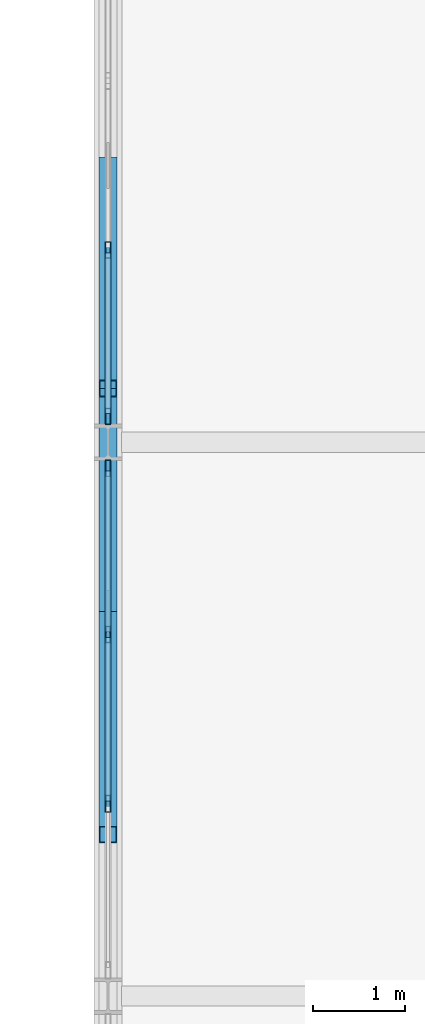
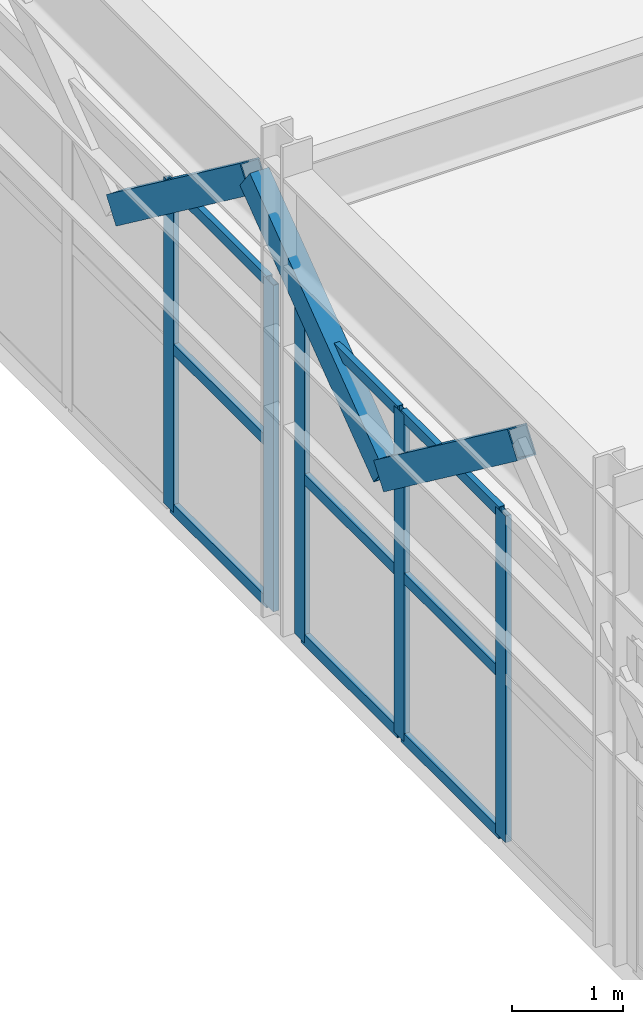
# One storey, part 22 of 210: 17 members, 2 elements without a shape of their own.
"""IFC4 building model written with IfcOpenShell, lengths in metres."""

from ifc_helpers import new_model, si_unit, direction, frame, origin, origin_2d, place, context, subcontext, project, spatial, hollow_rectangle, extrude, material, material_profile, profile_set, type_object, element, aggregate, save


model = new_model("IFC4")

# Units and contexts
model_context = context("Model", 3, precision=1e-05, world=origin(), true_north=direction((0.0, 1.0)))
body_context = subcontext(model_context, "Body", "Model", "MODEL_VIEW")
ifc_project = project(units=[si_unit("LENGTHUNIT", "METRE"), si_unit("AREAUNIT", "SQUARE_METRE"), si_unit("VOLUMEUNIT", "CUBIC_METRE"), si_unit("PLANEANGLEUNIT", "RADIAN"), si_unit("MASSUNIT", "GRAM", prefix="KILO")], contexts=[model_context])

# Site, building, storey
site_placement = place(None, origin())
site = spatial("IfcSite", under=ifc_project, at=site_placement, CompositionType="ELEMENT")
building_placement = place(site_placement, origin())
building = spatial("IfcBuilding", under=site, at=building_placement, Name="Kaldris Quays Convention Centre", CompositionType="ELEMENT")
storey_placement = place(building_placement, frame((0.0, 0.0, 6.0)))
storey = spatial("IfcBuildingStorey", under=building, at=storey_placement, Name="L01", CompositionType="ELEMENT", Elevation=6.0)

# Curtain wall, members
ifc_material_1 = material(Name="Anodized aluminium AW-6060 and triple glazing", Category="aluminium")
curtain_wall_type = type_object("IfcCurtainWallType", Name="UNITISED CURTAIN WALL CW05", PredefinedType="NOTDEFINED", material=ifc_material_1)
curtain_wall_1_placement = place(storey_placement, origin())
curtain_wall_1 = element("IfcCurtainWall", 1, at=curtain_wall_1_placement, inside=storey, type_object=curtain_wall_type, Name="L01 Unitised Curtain Wall CW05 74", PredefinedType="NOTDEFINED")
ifc_material_2 = material(Name="Anodized aluminium AW-6060", Category="aluminium")
ifc_material_profile_1 = material_profile(ifc_material_2, hollow_rectangle(XDim=0.06005859375, YDim=0.179931640625, WallThickness=0.0048828125, at=origin_2d()), Name="RHS 180x60x5")
ifc_profile_set_1 = profile_set([ifc_material_profile_1], Name="Anodized aluminium AW-6060")
member_type_1 = type_object("IfcMemberType", Name="CURTAIN MULLION CWM2", PredefinedType="MULLION", material=ifc_profile_set_1)
member_1_placement = place(storey_placement, frame((20.0, 24.083251953125, 0.0), z_axis=(0.0, 0.0, 1.0), x_axis=(-1.0, 0.0, 0.0)))
member_1 = element("IfcMember", 2, at=member_1_placement, type_object=member_type_1, Name="CW05 mullion 2", PredefinedType="MULLION", context=body_context, shape_type="SweptSolid", body=[
    extrude(hollow_rectangle(XDim=0.06005859375, YDim=0.179931640625, WallThickness=0.0048828125, at=origin_2d()), origin(), (0.0, 0.0, 1.0), 3.60009765625),
])
member_2_placement = place(storey_placement, frame((20.0, 25.916748046875, 0.0), z_axis=(0.0, 0.0, 1.0), x_axis=(-1.0, 0.0, 0.0)))
member_2 = element("IfcMember", 3, at=member_2_placement, type_object=member_type_1, Name="CW05 mullion 3", PredefinedType="MULLION", context=body_context, shape_type="SweptSolid", body=[
    extrude(hollow_rectangle(XDim=0.06005859375, YDim=0.179931640625, WallThickness=0.0048828125, at=origin_2d()), origin(), (0.0, 0.0, 1.0), 3.60009765625),
])
member_3_placement = place(storey_placement, frame((20.0, 27.719970703125, 0.0), z_axis=(0.0, 0.0, 1.0), x_axis=(-1.0, 0.0, 0.0)))
member_3 = element("IfcMember", 4, at=member_3_placement, type_object=member_type_1, Name="CW05 mullion 4", PredefinedType="MULLION", context=body_context, shape_type="SweptSolid", body=[
    extrude(hollow_rectangle(XDim=0.06005859375, YDim=0.179931640625, WallThickness=0.0048828125, at=origin_2d()), origin(), (0.0, 0.0, 1.0), 3.60009765625),
])

curtain_wall_2_placement = place(storey_placement, origin())
curtain_wall_2 = element("IfcCurtainWall", 5, at=curtain_wall_2_placement, inside=storey, type_object=curtain_wall_type, Name="L01 Unitised Curtain Wall CW05 75", PredefinedType="NOTDEFINED")
member_4_placement = place(storey_placement, frame((20.0, 28.280029296875, 0.0), z_axis=(0.0, 0.0, 1.0), x_axis=(-1.0, 0.0, 0.0)))
member_4 = element("IfcMember", 6, at=member_4_placement, type_object=member_type_1, Name="CW05 mullion 1", PredefinedType="MULLION", context=body_context, shape_type="SweptSolid", body=[
    extrude(hollow_rectangle(XDim=0.06005859375, YDim=0.179931640625, WallThickness=0.0048828125, at=origin_2d()), origin(), (0.0, 0.0, 1.0), 3.60009765625),
])
member_5_placement = place(storey_placement, frame((20.0, 30.083251953125, 0.0), z_axis=(0.0, 0.0, 1.0), x_axis=(-1.0, 0.0, 0.0)))
member_5 = element("IfcMember", 7, at=member_5_placement, type_object=member_type_1, Name="CW05 mullion 2", PredefinedType="MULLION", context=body_context, shape_type="SweptSolid", body=[
    extrude(hollow_rectangle(XDim=0.06005859375, YDim=0.179931640625, WallThickness=0.0048828125, at=origin_2d()), origin(), (0.0, 0.0, 1.0), 3.60009765625),
])

# Member
ifc_material_profile_2 = material_profile(ifc_material_2, hollow_rectangle(XDim=0.06005859375, YDim=0.1201171875, WallThickness=0.00390625, at=origin_2d()), Name="RHS 120x60x4")
ifc_profile_set_2 = profile_set([ifc_material_profile_2], Name="Anodized aluminium AW-6060")
member_type_2 = type_object("IfcMemberType", Name="CURTAIN TRANSOM CWT1", PredefinedType="USERDEFINED", material=ifc_profile_set_2)
member_6_placement = place(storey_placement, frame((20.0, 24.11328125, 0.030029296875), z_axis=(0.0, 1.0, 0.0), x_axis=(-1.0, 0.0, 0.0)))
member_6 = element("IfcMember", 8, at=member_6_placement, type_object=member_type_2, Name="CW05 transom 2.1", ObjectType="TRANSOM", PredefinedType="USERDEFINED", context=body_context, shape_type="SweptSolid", body=[
    extrude(hollow_rectangle(XDim=0.06005859375, YDim=0.1201171875, WallThickness=0.00390625, at=origin_2d()), origin(), (0.0, 0.0, 1.0), 1.7734375),
])

member_7_placement = place(storey_placement, frame((20.0, 24.11328125, 1.800048828125), z_axis=(0.0, 1.0, 0.0), x_axis=(-1.0, 0.0, 0.0)))
member_7 = element("IfcMember", 9, at=member_7_placement, type_object=member_type_2, Name="CW05 transom 2.2", ObjectType="TRANSOM", PredefinedType="USERDEFINED", context=body_context, shape_type="SweptSolid", body=[
    extrude(hollow_rectangle(XDim=0.06005859375, YDim=0.1201171875, WallThickness=0.00390625, at=origin_2d()), origin(), (0.0, 0.0, 1.0), 1.7734375),
])

member_8_placement = place(storey_placement, frame((20.0, 24.11328125, 3.570068359375), z_axis=(0.0, 1.0, 0.0), x_axis=(-1.0, 0.0, 0.0)))
member_8 = element("IfcMember", 10, at=member_8_placement, type_object=member_type_2, Name="CW05 transom 2.3", ObjectType="TRANSOM", PredefinedType="USERDEFINED", context=body_context, shape_type="SweptSolid", body=[
    extrude(hollow_rectangle(XDim=0.06005859375, YDim=0.1201171875, WallThickness=0.00390625, at=origin_2d()), origin(), (0.0, 0.0, 1.0), 1.7734375),
])

member_9_placement = place(storey_placement, frame((20.0, 25.94677734375, 0.030029296875), z_axis=(0.0, 1.0, 0.0), x_axis=(-1.0, 0.0, 0.0)))
member_9 = element("IfcMember", 11, at=member_9_placement, type_object=member_type_2, Name="CW05 transom 3.1", ObjectType="TRANSOM", PredefinedType="USERDEFINED", context=body_context, shape_type="SweptSolid", body=[
    extrude(hollow_rectangle(XDim=0.06005859375, YDim=0.1201171875, WallThickness=0.00390625, at=origin_2d()), origin(), (0.0, 0.0, 1.0), 1.7431640625),
])

member_10_placement = place(storey_placement, frame((20.0, 25.94677734375, 1.800048828125), z_axis=(0.0, 1.0, 0.0), x_axis=(-1.0, 0.0, 0.0)))
member_10 = element("IfcMember", 12, at=member_10_placement, type_object=member_type_2, Name="CW05 transom 3.2", ObjectType="TRANSOM", PredefinedType="USERDEFINED", context=body_context, shape_type="SweptSolid", body=[
    extrude(hollow_rectangle(XDim=0.06005859375, YDim=0.1201171875, WallThickness=0.00390625, at=origin_2d()), origin(), (0.0, 0.0, 1.0), 1.7431640625),
])

member_11_placement = place(storey_placement, frame((20.0, 25.94677734375, 3.570068359375), z_axis=(0.0, 1.0, 0.0), x_axis=(-1.0, 0.0, 0.0)))
member_11 = element("IfcMember", 13, at=member_11_placement, type_object=member_type_2, Name="CW05 transom 3.3", ObjectType="TRANSOM", PredefinedType="USERDEFINED", context=body_context, shape_type="SweptSolid", body=[
    extrude(hollow_rectangle(XDim=0.06005859375, YDim=0.1201171875, WallThickness=0.00390625, at=origin_2d()), origin(), (0.0, 0.0, 1.0), 1.7431640625),
])

aggregate(curtain_wall_1, [member_1, member_2, member_3, member_6, member_7, member_8, member_9, member_10, member_11])

member_12_placement = place(storey_placement, frame((20.0, 28.31005859375, 0.030029296875), z_axis=(0.0, 1.0, 0.0), x_axis=(-1.0, 0.0, 0.0)))
member_12 = element("IfcMember", 14, at=member_12_placement, type_object=member_type_2, Name="CW05 transom 1.1", ObjectType="TRANSOM", PredefinedType="USERDEFINED", context=body_context, shape_type="SweptSolid", body=[
    extrude(hollow_rectangle(XDim=0.06005859375, YDim=0.1201171875, WallThickness=0.00390625, at=origin_2d()), origin(), (0.0, 0.0, 1.0), 1.7431640625),
])

member_13_placement = place(storey_placement, frame((20.0, 28.31005859375, 1.800048828125), z_axis=(0.0, 1.0, 0.0), x_axis=(-1.0, 0.0, 0.0)))
member_13 = element("IfcMember", 15, at=member_13_placement, type_object=member_type_2, Name="CW05 transom 1.2", ObjectType="TRANSOM", PredefinedType="USERDEFINED", context=body_context, shape_type="SweptSolid", body=[
    extrude(hollow_rectangle(XDim=0.06005859375, YDim=0.1201171875, WallThickness=0.00390625, at=origin_2d()), origin(), (0.0, 0.0, 1.0), 1.7431640625),
])

member_14_placement = place(storey_placement, frame((20.0, 28.31005859375, 3.570068359375), z_axis=(0.0, 1.0, 0.0), x_axis=(-1.0, 0.0, 0.0)))
member_14 = element("IfcMember", 16, at=member_14_placement, type_object=member_type_2, Name="CW05 transom 1.3", ObjectType="TRANSOM", PredefinedType="USERDEFINED", context=body_context, shape_type="SweptSolid", body=[
    extrude(hollow_rectangle(XDim=0.06005859375, YDim=0.1201171875, WallThickness=0.00390625, at=origin_2d()), origin(), (0.0, 0.0, 1.0), 1.7431640625),
])

aggregate(curtain_wall_2, [member_4, member_5, member_12, member_13, member_14])

# Members
ifc_material_3 = material(Name="Steel S355J2H", Category="steel")
ifc_material_profile_3 = material_profile(ifc_material_3, hollow_rectangle(XDim=0.199951171875, YDim=0.300048828125, WallThickness=0.012451171875, at=origin_2d()), Name="RHS 300x200x12.5")
ifc_profile_set_3 = profile_set([ifc_material_profile_3], Name="Steel S355J2H")
member_type_3 = type_object("IfcMemberType", Name="STRUCTURAL MEMBER TTD1", PredefinedType="BRACE", material=ifc_profile_set_3)
member_15_placement = place(storey_placement, frame((20.0, 26.166748046875, 2.75), z_axis=(0.0, -0.800708018983, 0.599054812464), x_axis=(1.0, 0.0, 0.0)))
element("IfcMember", 17, at=member_15_placement, inside=storey, type_object=member_type_3, Name="Transfer Truss TT01 Diagonal 4", PredefinedType="BRACE", context=body_context, shape_type="SweptSolid", body=[
    extrude(hollow_rectangle(XDim=0.199951171875, YDim=0.300048828125, WallThickness=0.012451171875, at=origin_2d()), origin(), (0.0, 0.0, 1.0), 3.018310546875),
])
member_16_placement = place(storey_placement, frame((20.0, 26.166748046875, 2.75), z_axis=(0.0, 0.800678988238, 0.599093613548), x_axis=(-1.0, 0.0, 0.0)))
element("IfcMember", 18, at=member_16_placement, inside=storey, type_object=member_type_3, Name="Transfer Truss TT01 Diagonal 5", PredefinedType="BRACE", context=body_context, shape_type="SweptSolid", body=[
    extrude(hollow_rectangle(XDim=0.199951171875, YDim=0.300048828125, WallThickness=0.012451171875, at=origin_2d()), origin(), (0.0, 0.0, 1.0), 3.01806640625),
])
member_17_placement = place(storey_placement, frame((20.0, 31.0, 2.75), z_axis=(0.0, -0.800708018983, 0.599054812464), x_axis=(1.0, 0.0, 0.0)))
element("IfcMember", 19, at=member_17_placement, inside=storey, type_object=member_type_3, Name="Transfer Truss TT01 Diagonal 6", PredefinedType="BRACE", context=body_context, shape_type="SweptSolid", body=[
    extrude(hollow_rectangle(XDim=0.199951171875, YDim=0.300048828125, WallThickness=0.012451171875, at=origin_2d()), origin(), (0.0, 0.0, 1.0), 3.018310546875),
])

save(model, "model.ifc")
